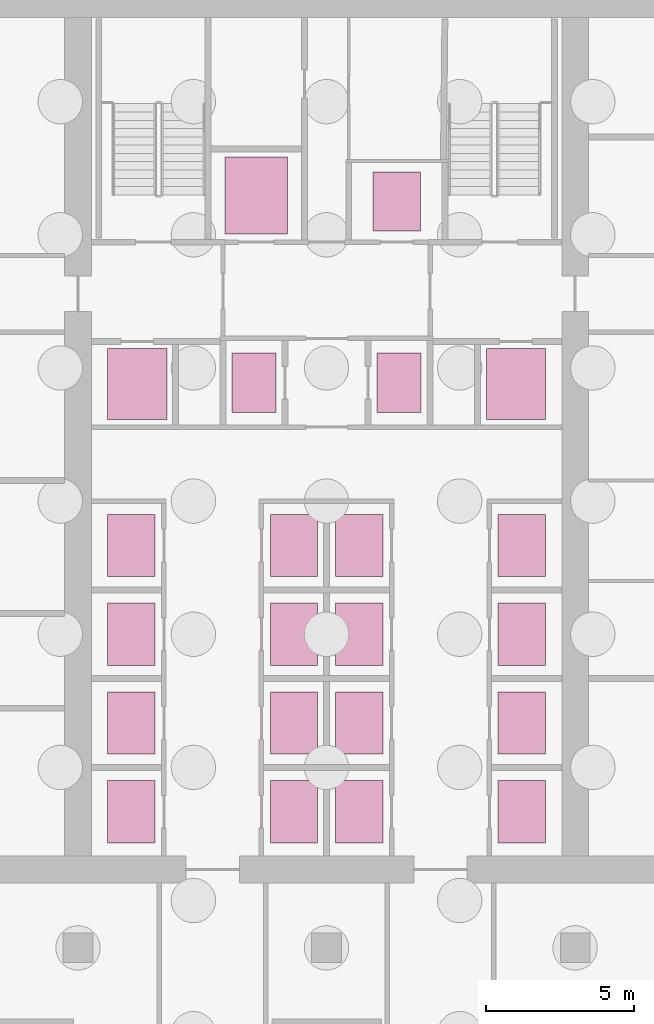
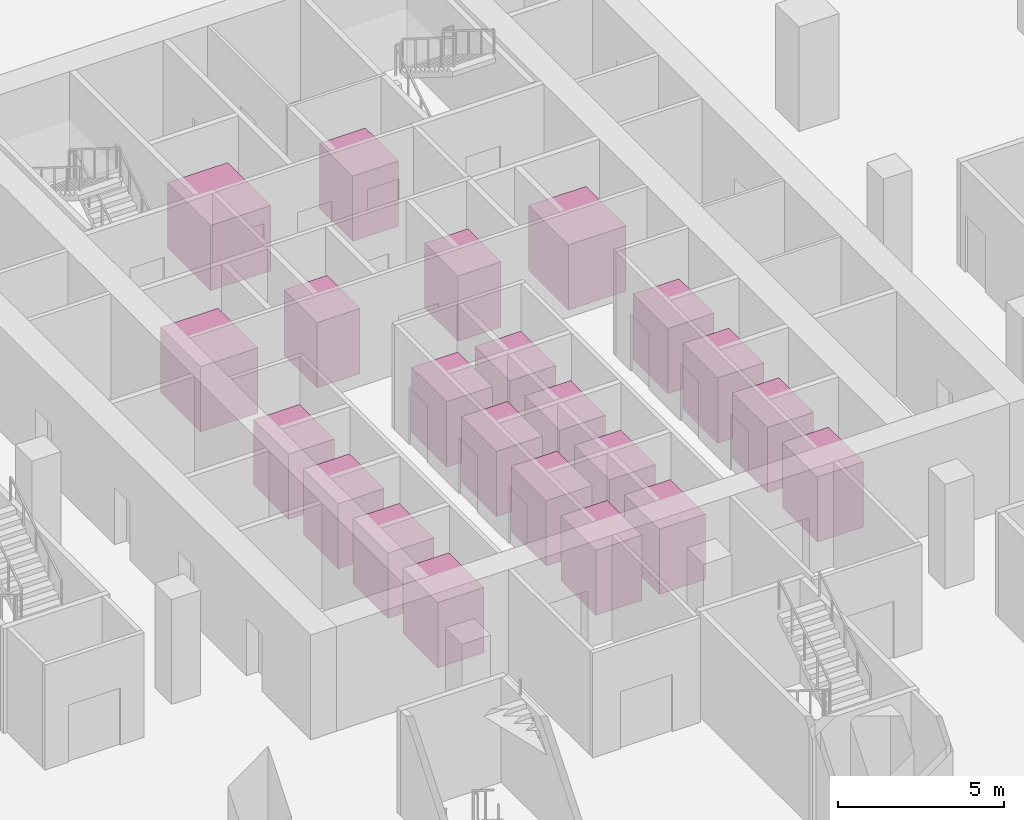
# One storey, part 22 of 22: 22 transport elements.
"""IFC4 building model written with IfcOpenShell, lengths in metres."""

from ifc_helpers import new_model, si_unit, direction, frame, origin, origin_2d, place, context, subcontext, project, spatial, rectangle, extrude, material, type_object, element, save


model = new_model("IFC4")

# Units and contexts
model_context = context("Model", 3, precision=1e-05, world=origin(), true_north=direction((0.0, 1.0)))
body_context = subcontext(model_context, "Body", "Model", "MODEL_VIEW")
ifc_project = project(units=[si_unit("LENGTHUNIT", "METRE"), si_unit("AREAUNIT", "SQUARE_METRE"), si_unit("VOLUMEUNIT", "CUBIC_METRE"), si_unit("PLANEANGLEUNIT", "RADIAN"), si_unit("MASSUNIT", "GRAM", prefix="KILO")], contexts=[model_context])

# Site, building, storey
site_placement = place(None, origin())
site = spatial("IfcSite", under=ifc_project, at=site_placement, CompositionType="ELEMENT")
building_placement = place(site_placement, origin())
building = spatial("IfcBuilding", under=site, at=building_placement, Name="Vermilion Ogive Tower", CompositionType="ELEMENT")
storey_placement = place(building_placement, frame((0.0, 0.0, -8.39990234375)))
storey = spatial("IfcBuildingStorey", under=building, at=storey_placement, Name="B2", CompositionType="ELEMENT", Elevation=-8.39990234375)

# Transport elements
ifc_material_1 = material(Name="Stainless steel", Category="steel")
transport_element_type_1 = type_object("IfcTransportElementType", Name="Fire-fighting lift car 2000 x 2400", PredefinedType="ELEVATOR", material=ifc_material_1)
for number, where, z_axis, x_axis, name in (
    (1, (-6.39990234375, 8.449951171875, 0.0), (0.0, 0.0, 1.0), (1.0, 0.0, 0.0), "Lift FF1"),
    (2, (6.39990234375, 8.449951171875, 0.0), (0.0, 0.0, 1.0), (1.0, 0.0, 0.0), "Lift FF2"),
):
    element("IfcTransportElement", number, at=place(storey_placement, frame(where, z_axis=z_axis, x_axis=x_axis)), inside=storey, type_object=transport_element_type_1, Name=name, PredefinedType="ELEVATOR", context=body_context, shape_type="SweptSolid", body=[
        extrude(rectangle(XDim=2.0, YDim=2.39990234375, at=origin_2d()), origin(), (0.0, 0.0, 1.0), 2.39990234375),
    ])
ifc_material_2 = material(Name="Stainless steel", Category="steel")
transport_element_type_2 = type_object("IfcTransportElementType", Name="Passenger lift car 1600 x 2000", PredefinedType="ELEVATOR", material=ifc_material_2)
transport_element_1_placement = place(storey_placement, frame((2.375, 14.625, 0.0), z_axis=(0.0, 0.0, 1.0), x_axis=(1.0, 0.0, 0.0)))
element("IfcTransportElement", 3, at=transport_element_1_placement, inside=storey, type_object=transport_element_type_2, Name="Lift SL1", PredefinedType="ELEVATOR", context=body_context, shape_type="SweptSolid", body=[
    extrude(rectangle(XDim=1.60009765625, YDim=2.0, at=origin_2d()), origin(), (0.0, 0.0, 1.0), 2.39990234375),
])
ifc_material_3 = material(Name="Stainless steel", Category="steel")
transport_element_type_3 = type_object("IfcTransportElementType", Name="Passenger lift car 2000 x 1500", PredefinedType="ELEVATOR", material=ifc_material_3)
for number, where, z_axis, x_axis, name in (
    (4, (-2.449951171875, 8.5, 0.0), (0.0, 0.0, 1.0), (1.0, 0.0, 0.0), "Lift OB1"),
    (5, (2.449951171875, 8.5, 0.0), (0.0, 0.0, 1.0), (1.0, 0.0, 0.0), "Lift OB2"),
):
    element("IfcTransportElement", number, at=place(storey_placement, frame(where, z_axis=z_axis, x_axis=x_axis)), inside=storey, type_object=transport_element_type_3, Name=name, PredefinedType="ELEVATOR", context=body_context, shape_type="SweptSolid", body=[
        extrude(rectangle(XDim=1.5, YDim=2.0, at=origin_2d()), origin(), (0.0, 0.0, 1.0), 2.39990234375),
    ])
ifc_material_4 = material(Name="Stainless steel", Category="steel")
transport_element_type_4 = type_object("IfcTransportElementType", Name="Passenger lift car 2100 x 1600", PredefinedType="ELEVATOR", material=ifc_material_4)
for number, where, z_axis, x_axis, name in (
    (6, (-6.60009765625, -6.0, 0.0), (0.0, 0.0, 1.0), (1.0, 0.0, 0.0), "Lift LR1"),
    (7, (-6.60009765625, -3.0, 0.0), (0.0, 0.0, 1.0), (1.0, 0.0, 0.0), "Lift LR2"),
    (8, (-6.60009765625, 0.0, 0.0), (0.0, 0.0, 1.0), (1.0, 0.0, 0.0), "Lift LR3"),
    (9, (-6.60009765625, 3.0, 0.0), (0.0, 0.0, 1.0), (1.0, 0.0, 0.0), "Lift LR4"),
    (10, (-1.10009765625, -6.0, 0.0), (0.0, 0.0, 1.0), (1.0, 0.0, 0.0), "Lift LR5"),
    (11, (-1.10009765625, -3.0, 0.0), (0.0, 0.0, 1.0), (1.0, 0.0, 0.0), "Lift LR6"),
    (12, (-1.10009765625, 0.0, 0.0), (0.0, 0.0, 1.0), (1.0, 0.0, 0.0), "Lift LR7"),
    (13, (-1.10009765625, 3.0, 0.0), (0.0, 0.0, 1.0), (1.0, 0.0, 0.0), "Lift LR8"),
    (14, (6.60009765625, 0.0, 0.0), (0.0, 0.0, 1.0), (1.0, 0.0, 0.0), "Lift PD1"),
    (15, (6.60009765625, 3.0, 0.0), (0.0, 0.0, 1.0), (1.0, 0.0, 0.0), "Lift PD2"),
    (16, (1.10009765625, -6.0, 0.0), (0.0, 0.0, 1.0), (1.0, 0.0, 0.0), "Lift SH1"),
    (17, (1.10009765625, -3.0, 0.0), (0.0, 0.0, 1.0), (1.0, 0.0, 0.0), "Lift SH2"),
    (18, (1.10009765625, 0.0, 0.0), (0.0, 0.0, 1.0), (1.0, 0.0, 0.0), "Lift SH3"),
    (19, (1.10009765625, 3.0, 0.0), (0.0, 0.0, 1.0), (1.0, 0.0, 0.0), "Lift SH4"),
    (20, (6.60009765625, -6.0, 0.0), (0.0, 0.0, 1.0), (1.0, 0.0, 0.0), "Lift SH5"),
    (21, (6.60009765625, -3.0, 0.0), (0.0, 0.0, 1.0), (1.0, 0.0, 0.0), "Lift SH6"),
):
    element("IfcTransportElement", number, at=place(storey_placement, frame(where, z_axis=z_axis, x_axis=x_axis)), inside=storey, type_object=transport_element_type_4, Name=name, PredefinedType="ELEVATOR", context=body_context, shape_type="SweptSolid", body=[
        extrude(rectangle(XDim=1.60009765625, YDim=2.10009765625, at=origin_2d()), origin(), (0.0, 0.0, 1.0), 2.39990234375),
    ])
ifc_material_5 = material(Name="Stainless steel", Category="steel")
transport_element_type_5 = type_object("IfcTransportElementType", Name="Passenger lift car 2100 x 2600", PredefinedType="ELEVATOR", material=ifc_material_5)
transport_element_2_placement = place(storey_placement, frame((-2.375, 14.824951171875, 0.0), z_axis=(0.0, 0.0, 1.0), x_axis=(1.0, 0.0, 0.0)))
element("IfcTransportElement", 22, at=transport_element_2_placement, inside=storey, type_object=transport_element_type_5, Name="Lift SV1", PredefinedType="ELEVATOR", context=body_context, shape_type="SweptSolid", body=[
    extrude(rectangle(XDim=2.10009765625, YDim=2.60009765625, at=origin_2d()), origin(), (0.0, 0.0, 1.0), 2.39990234375),
])

save(model, "model.ifc")
